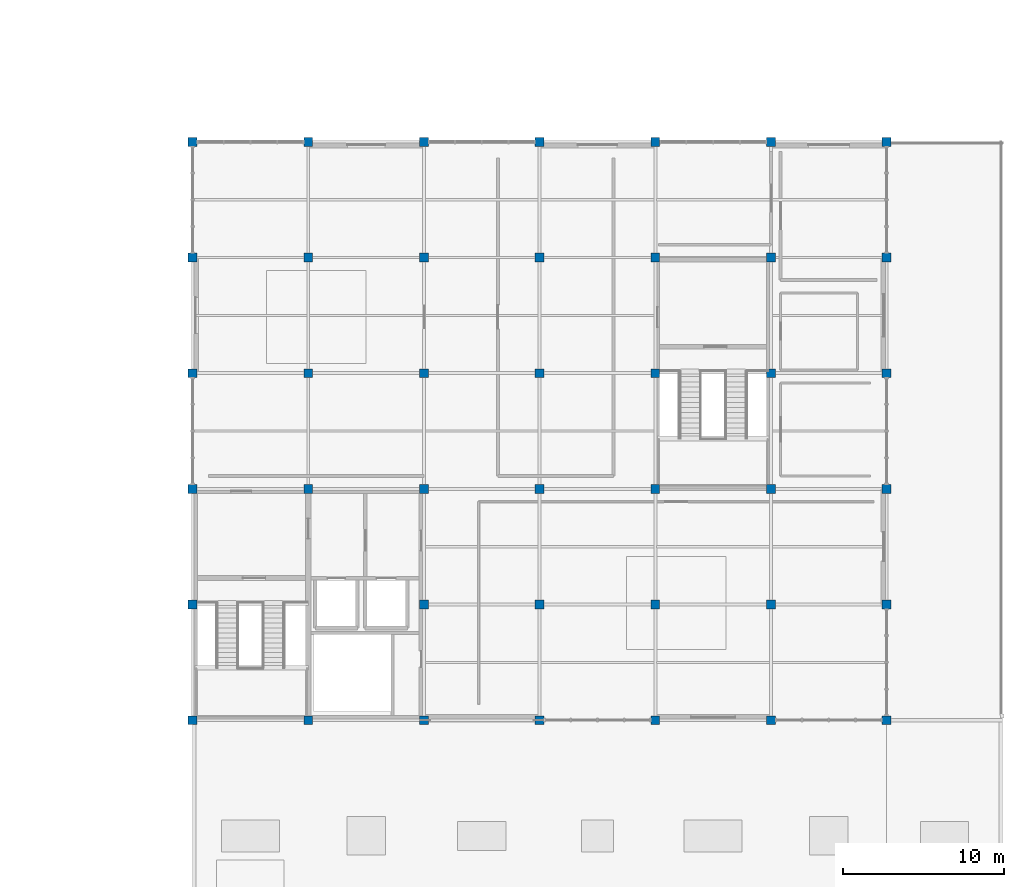
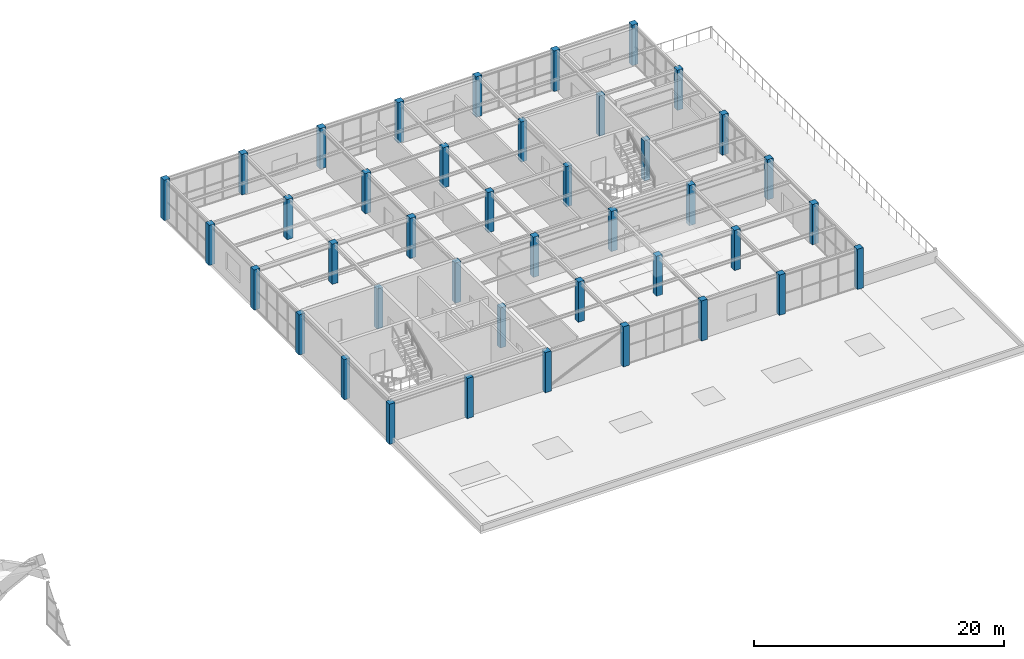
# One storey, part 2 of 64: 41 columns.
"""IFC4 building model written with IfcOpenShell, lengths in metres."""

from ifc_helpers import new_model, si_unit, direction, frame, origin, origin_2d, place, context, subcontext, project, spatial, rectangle, extrude, material, material_profile, profile_set, type_object, element, save


model = new_model("IFC4")

# Units and contexts
model_context = context("Model", 3, precision=1e-05, world=origin(), true_north=direction((0.0, 1.0)))
body_context = subcontext(model_context, "Body", "Model", "MODEL_VIEW")
ifc_project = project(units=[si_unit("LENGTHUNIT", "METRE"), si_unit("AREAUNIT", "SQUARE_METRE"), si_unit("VOLUMEUNIT", "CUBIC_METRE"), si_unit("PLANEANGLEUNIT", "RADIAN"), si_unit("MASSUNIT", "GRAM", prefix="KILO")], contexts=[model_context])

# Site, building, storey
site_placement = place(None, origin())
site = spatial("IfcSite", under=ifc_project, at=site_placement, CompositionType="ELEMENT")
building_placement = place(site_placement, origin())
building = spatial("IfcBuilding", under=site, at=building_placement, Name="Leyfeld Transit Interchange", CompositionType="ELEMENT")
storey_placement = place(building_placement, frame((0.0, 0.0, 9.60009765625)))
storey = spatial("IfcBuildingStorey", under=building, at=storey_placement, Name="L02", CompositionType="ELEMENT", Elevation=9.60009765625)

# Columns
ifc_material = material(Name="Concrete C35/45", Category="concrete")
ifc_material_profile = material_profile(ifc_material, rectangle(XDim=0.550048828125, YDim=0.550048828125, at=origin_2d()), Name="RC 550x550")
ifc_profile_set = profile_set([ifc_material_profile], Name="Concrete C35/45")
column_type = type_object("IfcColumnType", Name="COL-RC-550", PredefinedType="COLUMN", material=ifc_profile_set)
for number, where, z_axis, x_axis, name in (
    (1, (136.800048828125, 57.60009765625, 0.0), (0.0, 0.0, 1.0), (1.0, 0.0, 0.0), "Column COL-L02-1368_0576"),
    (2, (136.800048828125, 64.800048828125, 0.0), (0.0, 0.0, 1.0), (1.0, 0.0, 0.0), "Column COL-L02-1368_0648"),
    (3, (136.800048828125, 72.0, 0.0), (0.0, 0.0, 1.0), (1.0, 0.0, 0.0), "Column COL-L02-1368_0720"),
    (4, (136.800048828125, 79.199951171875, 0.0), (0.0, 0.0, 1.0), (1.0, 0.0, 0.0), "Column COL-L02-1368_0792"),
    (5, (136.800048828125, 86.39990234375, 0.0), (0.0, 0.0, 1.0), (1.0, 0.0, 0.0), "Column COL-L02-1368_0864"),
):
    element("IfcColumn", number, at=place(storey_placement, frame(where, z_axis=z_axis, x_axis=x_axis)), inside=storey, type_object=column_type, Name=name, PredefinedType="COLUMN", context=body_context, shape_type="SweptSolid", body=[
        extrude(rectangle(XDim=0.550048828125, YDim=0.550048828125, at=origin_2d()), origin(), (0.0, 0.0, 1.0), 3.919921875),
    ])
column_1_placement = place(storey_placement, frame((136.800048828125, 93.60009765625, 0.0), z_axis=(0.0, 0.0, 1.0), x_axis=(1.0, 0.0, 0.0)))
element("IfcColumn", 6, at=column_1_placement, inside=storey, type_object=column_type, Name="Column COL-L02-1368_0936", PredefinedType="COLUMN", context=body_context, shape_type="SweptSolid", body=[
    extrude(rectangle(XDim=0.550048828125, YDim=0.550048828125, at=origin_2d()), origin(), (0.0, 0.0, 1.0), 3.949951171875),
])
for number, where, z_axis, x_axis, name in (
    (7, (144.0, 57.60009765625, 0.0), (0.0, 0.0, 1.0), (1.0, 0.0, 0.0), "Column COL-L02-1440_0576"),
    (8, (144.0, 72.0, 0.0), (0.0, 0.0, 1.0), (1.0, 0.0, 0.0), "Column COL-L02-1440_0720"),
    (9, (144.0, 79.199951171875, 0.0), (0.0, 0.0, 1.0), (1.0, 0.0, 0.0), "Column COL-L02-1440_0792"),
    (10, (144.0, 86.39990234375, 0.0), (0.0, 0.0, 1.0), (1.0, 0.0, 0.0), "Column COL-L02-1440_0864"),
):
    element("IfcColumn", number, at=place(storey_placement, frame(where, z_axis=z_axis, x_axis=x_axis)), inside=storey, type_object=column_type, Name=name, PredefinedType="COLUMN", context=body_context, shape_type="SweptSolid", body=[
        extrude(rectangle(XDim=0.550048828125, YDim=0.550048828125, at=origin_2d()), origin(), (0.0, 0.0, 1.0), 3.919921875),
    ])
column_2_placement = place(storey_placement, frame((144.0, 93.60009765625, 0.0), z_axis=(0.0, 0.0, 1.0), x_axis=(1.0, 0.0, 0.0)))
element("IfcColumn", 11, at=column_2_placement, inside=storey, type_object=column_type, Name="Column COL-L02-1440_0936", PredefinedType="COLUMN", context=body_context, shape_type="SweptSolid", body=[
    extrude(rectangle(XDim=0.550048828125, YDim=0.550048828125, at=origin_2d()), origin(), (0.0, 0.0, 1.0), 3.949951171875),
])
for number, where, z_axis, x_axis, name in (
    (12, (151.199951171875, 57.60009765625, 0.0), (0.0, 0.0, 1.0), (1.0, 0.0, 0.0), "Column COL-L02-1512_0576"),
    (13, (151.199951171875, 64.800048828125, 0.0), (0.0, 0.0, 1.0), (1.0, 0.0, 0.0), "Column COL-L02-1512_0648"),
    (14, (151.199951171875, 72.0, 0.0), (0.0, 0.0, 1.0), (1.0, 0.0, 0.0), "Column COL-L02-1512_0720"),
    (15, (151.199951171875, 79.199951171875, 0.0), (0.0, 0.0, 1.0), (1.0, 0.0, 0.0), "Column COL-L02-1512_0792"),
    (16, (151.199951171875, 86.39990234375, 0.0), (0.0, 0.0, 1.0), (1.0, 0.0, 0.0), "Column COL-L02-1512_0864"),
):
    element("IfcColumn", number, at=place(storey_placement, frame(where, z_axis=z_axis, x_axis=x_axis)), inside=storey, type_object=column_type, Name=name, PredefinedType="COLUMN", context=body_context, shape_type="SweptSolid", body=[
        extrude(rectangle(XDim=0.550048828125, YDim=0.550048828125, at=origin_2d()), origin(), (0.0, 0.0, 1.0), 3.919921875),
    ])
column_3_placement = place(storey_placement, frame((151.199951171875, 93.60009765625, 0.0), z_axis=(0.0, 0.0, 1.0), x_axis=(1.0, 0.0, 0.0)))
element("IfcColumn", 17, at=column_3_placement, inside=storey, type_object=column_type, Name="Column COL-L02-1512_0936", PredefinedType="COLUMN", context=body_context, shape_type="SweptSolid", body=[
    extrude(rectangle(XDim=0.550048828125, YDim=0.550048828125, at=origin_2d()), origin(), (0.0, 0.0, 1.0), 3.949951171875),
])
for number, where, z_axis, x_axis, name in (
    (18, (158.39990234375, 57.60009765625, 0.0), (0.0, 0.0, 1.0), (1.0, 0.0, 0.0), "Column COL-L02-1584_0576"),
    (19, (158.39990234375, 64.800048828125, 0.0), (0.0, 0.0, 1.0), (1.0, 0.0, 0.0), "Column COL-L02-1584_0648"),
    (20, (158.39990234375, 72.0, 0.0), (0.0, 0.0, 1.0), (1.0, 0.0, 0.0), "Column COL-L02-1584_0720"),
    (21, (158.39990234375, 79.199951171875, 0.0), (0.0, 0.0, 1.0), (1.0, 0.0, 0.0), "Column COL-L02-1584_0792"),
    (22, (158.39990234375, 86.39990234375, 0.0), (0.0, 0.0, 1.0), (1.0, 0.0, 0.0), "Column COL-L02-1584_0864"),
):
    element("IfcColumn", number, at=place(storey_placement, frame(where, z_axis=z_axis, x_axis=x_axis)), inside=storey, type_object=column_type, Name=name, PredefinedType="COLUMN", context=body_context, shape_type="SweptSolid", body=[
        extrude(rectangle(XDim=0.550048828125, YDim=0.550048828125, at=origin_2d()), origin(), (0.0, 0.0, 1.0), 3.919921875),
    ])
column_4_placement = place(storey_placement, frame((158.39990234375, 93.60009765625, 0.0), z_axis=(0.0, 0.0, 1.0), x_axis=(1.0, 0.0, 0.0)))
element("IfcColumn", 23, at=column_4_placement, inside=storey, type_object=column_type, Name="Column COL-L02-1584_0936", PredefinedType="COLUMN", context=body_context, shape_type="SweptSolid", body=[
    extrude(rectangle(XDim=0.550048828125, YDim=0.550048828125, at=origin_2d()), origin(), (0.0, 0.0, 1.0), 3.949951171875),
])
for number, where, z_axis, x_axis, name in (
    (24, (165.60009765625, 57.60009765625, 0.0), (0.0, 0.0, 1.0), (1.0, 0.0, 0.0), "Column COL-L02-1656_0576"),
    (25, (165.60009765625, 64.800048828125, 0.0), (0.0, 0.0, 1.0), (1.0, 0.0, 0.0), "Column COL-L02-1656_0648"),
    (26, (165.60009765625, 72.0, 0.0), (0.0, 0.0, 1.0), (1.0, 0.0, 0.0), "Column COL-L02-1656_0720"),
    (27, (165.60009765625, 79.199951171875, 0.0), (0.0, 0.0, 1.0), (1.0, 0.0, 0.0), "Column COL-L02-1656_0792"),
    (28, (165.60009765625, 86.39990234375, 0.0), (0.0, 0.0, 1.0), (1.0, 0.0, 0.0), "Column COL-L02-1656_0864"),
):
    element("IfcColumn", number, at=place(storey_placement, frame(where, z_axis=z_axis, x_axis=x_axis)), inside=storey, type_object=column_type, Name=name, PredefinedType="COLUMN", context=body_context, shape_type="SweptSolid", body=[
        extrude(rectangle(XDim=0.550048828125, YDim=0.550048828125, at=origin_2d()), origin(), (0.0, 0.0, 1.0), 3.919921875),
    ])
column_5_placement = place(storey_placement, frame((165.60009765625, 93.60009765625, 0.0), z_axis=(0.0, 0.0, 1.0), x_axis=(1.0, 0.0, 0.0)))
element("IfcColumn", 29, at=column_5_placement, inside=storey, type_object=column_type, Name="Column COL-L02-1656_0936", PredefinedType="COLUMN", context=body_context, shape_type="SweptSolid", body=[
    extrude(rectangle(XDim=0.550048828125, YDim=0.550048828125, at=origin_2d()), origin(), (0.0, 0.0, 1.0), 3.949951171875),
])
for number, where, z_axis, x_axis, name in (
    (30, (172.800048828125, 57.60009765625, 0.0), (0.0, 0.0, 1.0), (1.0, 0.0, 0.0), "Column COL-L02-1728_0576"),
    (31, (172.800048828125, 64.800048828125, 0.0), (0.0, 0.0, 1.0), (1.0, 0.0, 0.0), "Column COL-L02-1728_0648"),
    (32, (172.800048828125, 72.0, 0.0), (0.0, 0.0, 1.0), (1.0, 0.0, 0.0), "Column COL-L02-1728_0720"),
    (33, (172.800048828125, 79.199951171875, 0.0), (0.0, 0.0, 1.0), (1.0, 0.0, 0.0), "Column COL-L02-1728_0792"),
    (34, (172.800048828125, 86.39990234375, 0.0), (0.0, 0.0, 1.0), (1.0, 0.0, 0.0), "Column COL-L02-1728_0864"),
):
    element("IfcColumn", number, at=place(storey_placement, frame(where, z_axis=z_axis, x_axis=x_axis)), inside=storey, type_object=column_type, Name=name, PredefinedType="COLUMN", context=body_context, shape_type="SweptSolid", body=[
        extrude(rectangle(XDim=0.550048828125, YDim=0.550048828125, at=origin_2d()), origin(), (0.0, 0.0, 1.0), 3.919921875),
    ])
column_6_placement = place(storey_placement, frame((172.800048828125, 93.60009765625, 0.0), z_axis=(0.0, 0.0, 1.0), x_axis=(1.0, 0.0, 0.0)))
element("IfcColumn", 35, at=column_6_placement, inside=storey, type_object=column_type, Name="Column COL-L02-1728_0936", PredefinedType="COLUMN", context=body_context, shape_type="SweptSolid", body=[
    extrude(rectangle(XDim=0.550048828125, YDim=0.550048828125, at=origin_2d()), origin(), (0.0, 0.0, 1.0), 3.949951171875),
])
for number, where, z_axis, x_axis, name in (
    (36, (180.0, 57.60009765625, 0.0), (0.0, 0.0, 1.0), (1.0, 0.0, 0.0), "Column COL-L02-1800_0576"),
    (37, (180.0, 64.800048828125, 0.0), (0.0, 0.0, 1.0), (1.0, 0.0, 0.0), "Column COL-L02-1800_0648"),
    (38, (180.0, 72.0, 0.0), (0.0, 0.0, 1.0), (1.0, 0.0, 0.0), "Column COL-L02-1800_0720"),
    (39, (180.0, 79.199951171875, 0.0), (0.0, 0.0, 1.0), (1.0, 0.0, 0.0), "Column COL-L02-1800_0792"),
    (40, (180.0, 86.39990234375, 0.0), (0.0, 0.0, 1.0), (1.0, 0.0, 0.0), "Column COL-L02-1800_0864"),
):
    element("IfcColumn", number, at=place(storey_placement, frame(where, z_axis=z_axis, x_axis=x_axis)), inside=storey, type_object=column_type, Name=name, PredefinedType="COLUMN", context=body_context, shape_type="SweptSolid", body=[
        extrude(rectangle(XDim=0.550048828125, YDim=0.550048828125, at=origin_2d()), origin(), (0.0, 0.0, 1.0), 3.919921875),
    ])
column_7_placement = place(storey_placement, frame((180.0, 93.60009765625, 0.0), z_axis=(0.0, 0.0, 1.0), x_axis=(1.0, 0.0, 0.0)))
element("IfcColumn", 41, at=column_7_placement, inside=storey, type_object=column_type, Name="Column COL-L02-1800_0936", PredefinedType="COLUMN", context=body_context, shape_type="SweptSolid", body=[
    extrude(rectangle(XDim=0.550048828125, YDim=0.550048828125, at=origin_2d()), origin(), (0.0, 0.0, 1.0), 3.949951171875),
])

save(model, "model.ifc")
